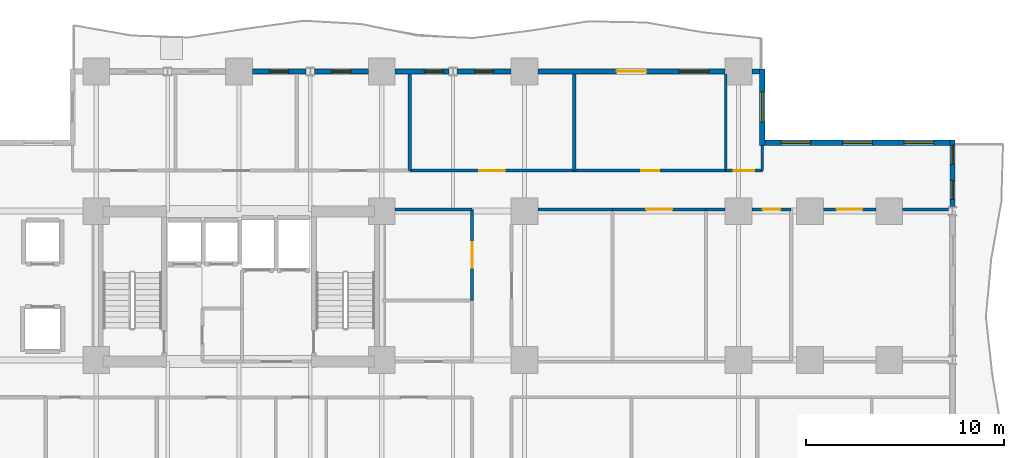
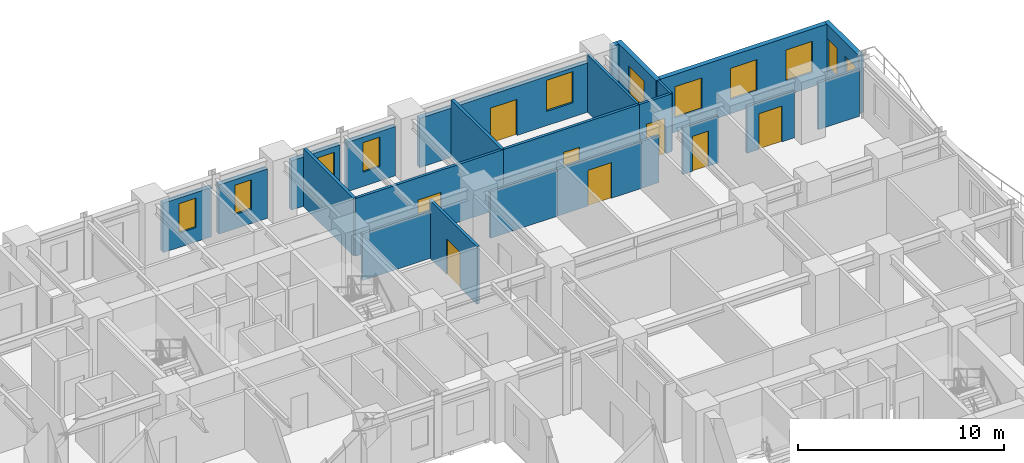
# One storey, part 7 of 11: 24 walls, 11 windows, 8 doors, 19 openings.
"""IFC4 building model written with IfcOpenShell, lengths in metres."""

import ifcopenshell
import ifcopenshell.guid

model = None  # the IFC model being written
_history = None  # IfcOwnerHistory: only IFC2X3 demands one
_inside = {}  # id of a spatial element -> (the spatial element, [elements in it])
_under = {}  # id of a project, library or spatial element -> (it, [spatial elements below it])
_declared = {}  # id of a project -> (the project, [libraries it declares])
_typed = {}  # id of a type object -> (the type object, [elements of that type])
_made_of = {}  # id of a material, layer set ... -> (it, [elements and type objects made of it])


def new_model(schema):
    """Start an empty IFC model of exactly this schema.

    Asked for "IFC4X3", IfcOpenShell would pick the latest addendum, in which some entities
    have other attributes; the version numbers below select the first issue.
    IFC2X3 requires an IfcOwnerHistory on every rooted entity: one is made here for all.
    """
    global model, _history
    if schema == "IFC4X3":
        model = ifcopenshell.file(schema_version=(4, 3, 0, 0))
    else:
        model = ifcopenshell.file(schema=schema)
    _inside.clear()
    _under.clear()
    _declared.clear()
    _typed.clear()
    _made_of.clear()
    _history = None
    if model.schema == "IFC2X3":
        org = make("IfcOrganization", Name="unknown")
        user = make(
            "IfcPersonAndOrganization",
            ThePerson=make("IfcPerson", FamilyName="unknown"),
            TheOrganization=org,
        )
        app = make(
            "IfcApplication",
            ApplicationDeveloper=org,
            Version="unknown",
            ApplicationFullName="unknown",
            ApplicationIdentifier="unknown",
        )
        _history = make(
            "IfcOwnerHistory",
            OwningUser=user,
            OwningApplication=app,
            ChangeAction="ADDED",
            CreationDate=0,
        )
    return model


def make(cls, **values):
    """One entity of the class cls with the attributes given. An attribute that is None is left unset."""
    return model.create_entity(
        cls, **{name: value for name, value in values.items() if value is not None}
    )


def rooted(cls, **values):
    """An entity with a GlobalId (a new one), such as an element, a storey or a relation."""
    return make(cls, GlobalId=ifcopenshell.guid.new(), OwnerHistory=_history, **values)


def si_unit(unit_type, name, prefix=None):
    """IfcSIUnit, for example si_unit("LENGTHUNIT", "METRE", prefix="MILLI")."""
    return make("IfcSIUnit", UnitType=unit_type, Prefix=prefix, Name=name)


def assignment(units):
    """IfcUnitAssignment: the units of a project."""
    return None if units is None else make("IfcUnitAssignment", Units=units)


def point(xyz):
    """IfcCartesianPoint."""
    return None if xyz is None else make("IfcCartesianPoint", Coordinates=xyz)


def direction(xyz):
    """IfcDirection."""
    return None if xyz is None else make("IfcDirection", DirectionRatios=xyz)


def frame(location, z_axis=None, x_axis=None):
    """IfcAxis2Placement3D, a coordinate frame: its origin and axes. An axis left out is left unset."""
    return make(
        "IfcAxis2Placement3D",
        Location=point(location),
        Axis=direction(z_axis),
        RefDirection=direction(x_axis),
    )


def frame_2d(location, x_axis=None):
    """IfcAxis2Placement2D, a coordinate frame in the plane: its origin and x axis."""
    return make(
        "IfcAxis2Placement2D", Location=point(location), RefDirection=direction(x_axis)
    )


def origin():
    """The frame at (0, 0, 0) with its axes left unset."""
    return frame((0.0, 0.0, 0.0))


def place(relative_to, where):
    """IfcLocalPlacement: puts the frame where relative to a parent placement (None: the world)."""
    return make(
        "IfcLocalPlacement", PlacementRelTo=relative_to, RelativePlacement=where
    )


def context(
    kind, dimensions, precision=None, world=None, true_north=None, identifier=None
):
    """IfcGeometricRepresentationContext, for example the 3D "Model" context."""
    return make(
        "IfcGeometricRepresentationContext",
        ContextIdentifier=identifier,
        ContextType=kind,
        CoordinateSpaceDimension=dimensions,
        Precision=precision,
        WorldCoordinateSystem=world,
        TrueNorth=true_north,
    )


def subcontext(parent, identifier, kind, view, scale=None):
    """IfcGeometricRepresentationSubContext, for example "Body" below "Model"."""
    return make(
        "IfcGeometricRepresentationSubContext",
        ContextIdentifier=identifier,
        ContextType=kind,
        ParentContext=parent,
        TargetScale=scale,
        TargetView=view,
    )


def project(units=None, contexts=None):
    """IfcProject with its units and contexts."""
    return rooted(
        "IfcProject",
        Name="project",
        RepresentationContexts=contexts,
        UnitsInContext=assignment(units),
    )


def spatial(cls, under=None, at=None, **own):
    """A site, building, storey or space (cls), placed at a placement, below another one or the project."""
    s = rooted(cls, ObjectPlacement=at, **own)
    if under is not None:
        _under.setdefault(under.id(), (under, []))[1].append(s)
    return s


def profile(cls, at=None, kind="AREA", **sizes):
    """A parametric profile (cls). Its sizes go by their IFC names, for example OverallWidth=200.0."""
    return make(cls, ProfileType=kind, Position=at, **sizes)


def rectangle(**sizes):
    """IfcRectangleProfileDef."""
    return profile("IfcRectangleProfileDef", **sizes)


def extrude(swept, where, along, depth):
    """IfcExtrudedAreaSolid: the profile swept, set in the frame where, extruded along a direction by depth."""
    return make(
        "IfcExtrudedAreaSolid",
        SweptArea=swept,
        Position=where,
        ExtrudedDirection=direction(along),
        Depth=depth,
    )


def shape(context_of_items, identifier, shape_type, items):
    """IfcShapeRepresentation: the items that make up one representation, for example the "Body"."""
    return make(
        "IfcShapeRepresentation",
        ContextOfItems=context_of_items,
        RepresentationIdentifier=identifier,
        RepresentationType=shape_type,
        Items=items,
    )


def material(Name=None, Category=None):
    """IfcMaterial."""
    return make("IfcMaterial", Name=Name, Category=Category)


def layer(
    of_material, thickness, ventilated=None, Name=None, Category=None, Priority=None
):
    """IfcMaterialLayer: one layer of a wall or slab, of a material (None: an air gap)."""
    return make(
        "IfcMaterialLayer",
        Material=of_material,
        LayerThickness=thickness,
        IsVentilated=ventilated,
        Name=Name,
        Category=Category,
        Priority=Priority,
    )


def layer_set(layers, Name=None):
    """IfcMaterialLayerSet."""
    return make("IfcMaterialLayerSet", MaterialLayers=layers, LayerSetName=Name)


def made_of(thing, what):
    """Note that an element or type object is made of a material, layer set ...; save() writes the relation."""
    if what is not None:
        _made_of.setdefault(what.id(), (what, []))[1].append(thing)
    return thing


def type_object(cls, material=None, **own):
    """A type object (cls), such as IfcWallType, which elements share."""
    return made_of(rooted(cls, **own), material)


def element(
    cls,
    number,
    at=None,
    inside=None,
    cuts=None,
    type_object=None,
    material=None,
    context=None,
    identifier="Body",
    shape_type=None,
    held_by="IfcProductDefinitionShape",
    body=None,
    shapes=None,
    **own,
):
    """One element of the class cls, such as IfcWall. Its Tag is "e" and its number.

    at: its placement. inside: the storey or other place that contains it. cuts: it is an
    opening in that element (IfcRelVoidsElement). A single representation is given by context,
    identifier, shape_type and body (its items); several are given by shapes. held_by: the class
    of the entity that holds the representations. save() writes the other relations.
    """
    e = rooted(cls, Tag="e%d" % number, ObjectPlacement=at, **own)
    if body is not None:
        shapes = [shape(context, identifier, shape_type, body)]
    if shapes is not None:
        e.Representation = make(held_by, Representations=shapes)
    if inside is not None:
        _inside.setdefault(inside.id(), (inside, []))[1].append(e)
    if cuts is not None:
        rooted(
            "IfcRelVoidsElement", RelatingBuildingElement=cuts, RelatedOpeningElement=e
        )
    if type_object is not None:
        _typed.setdefault(type_object.id(), (type_object, []))[1].append(e)
    return made_of(e, material)


def fill(opening, filler):
    """IfcRelFillsElement: the door or window that sits in an opening."""
    return rooted(
        "IfcRelFillsElement",
        RelatingOpeningElement=opening,
        RelatedBuildingElement=filler,
    )


def aggregate(whole, parts):
    """IfcRelAggregates: a whole, such as a stair, and the parts it consists of."""
    return rooted("IfcRelAggregates", RelatingObject=whole, RelatedObjects=parts)


def save(model, path):
    """Write the relations noted so far, then the file.

    IfcRelAggregates (storeys below a building ...), IfcRelContainedInSpatialStructure (elements
    in a storey), IfcRelDefinesByType, IfcRelAssociatesMaterial and IfcRelDeclares: one each for
    every whole, place, type object, material and project.
    """
    for whole, parts in _under.values():
        aggregate(whole, parts)
    for where, things in _inside.values():
        rooted(
            "IfcRelContainedInSpatialStructure",
            RelatedElements=things,
            RelatingStructure=where,
        )
    for kind, things in _typed.values():
        rooted("IfcRelDefinesByType", RelatedObjects=things, RelatingType=kind)
    for what, things in _made_of.values():
        rooted("IfcRelAssociatesMaterial", RelatedObjects=things, RelatingMaterial=what)
    for by, libraries in _declared.values():
        rooted("IfcRelDeclares", RelatingContext=by, RelatedDefinitions=libraries)
    model.write(path)


model = new_model("IFC4")

# Units and contexts
model_context = context("Model", 3, precision=1e-05, world=origin(), true_north=direction((0.0, 1.0)))
body_context = subcontext(model_context, "Body", "Model", "MODEL_VIEW")
ifc_project = project(units=[si_unit("LENGTHUNIT", "METRE"), si_unit("AREAUNIT", "SQUARE_METRE"), si_unit("VOLUMEUNIT", "CUBIC_METRE"), si_unit("PLANEANGLEUNIT", "RADIAN"), si_unit("MASSUNIT", "GRAM", prefix="KILO")], contexts=[model_context])

# Site, building, storey
site_placement = place(None, origin())
site = spatial("IfcSite", under=ifc_project, at=site_placement, CompositionType="ELEMENT")
building_placement = place(site_placement, origin())
building = spatial("IfcBuilding", under=site, at=building_placement, Name="Kaliganga Portal Commons", CompositionType="ELEMENT")
storey_placement = place(building_placement, frame((0.0, 0.0, 66.0)))
storey = spatial("IfcBuildingStorey", under=building, at=storey_placement, Name="L16", CompositionType="ELEMENT", Elevation=66.0)

# Wall, openings, windows
ifc_material_1 = material(Name="Insulated Aluminium-Clad Spandrel Assembly", Category="aluminium")
ifc_layer_1 = layer(ifc_material_1, 0.260009765625)
ifc_layer_set_1 = layer_set([ifc_layer_1], Name="Insulated Aluminium-Clad Spandrel Assembly")
wall_type_1 = type_object("IfcWallType", Name="WL-EXT-SPAND-260", PredefinedType="STANDARD", material=ifc_layer_set_1)
wall_1_placement = place(storey_placement, frame((57.60009765625, 39.72998046875, 0.0), z_axis=(0.0, 0.0, 1.0), x_axis=(0.0, -1.0, 0.0)))
wall_1 = element("IfcWall", 1, at=wall_1_placement, inside=storey, type_object=wall_type_1, Name="Exterior Envelope Wall L16 P1-E03-S6", PredefinedType="STANDARD", context=body_context, shape_type="SweptSolid", body=[
    extrude(rectangle(XDim=3.35595703125, YDim=0.260009765625, at=frame_2d((1.677978515625, 0.0))), origin(), (0.0, 0.0, 1.0), 3.429931640625),
])
opening_1_placement = place(wall_1_placement, frame((2.035400390625, 0.0, 0.85009765625)))
opening_1 = element("IfcOpeningElement", 2, at=opening_1_placement, cuts=wall_1, Name="Opening W-04", PredefinedType="OPENING", context=body_context, shape_type="SweptSolid", body=[
    extrude(rectangle(XDim=0.949951171875, YDim=1.75, at=frame_2d((0.47509765625, 0.875))), frame((0.0, 0.14013671875, 0.0), z_axis=(0.0, -1.0, 0.0), x_axis=(1.0, 0.0, 0.0)), (0.0, 0.0, 1.0), 0.280029296875),
])
opening_2_placement = place(wall_1_placement, frame((0.26318359375, 0.0, 0.85009765625)))
opening_2 = element("IfcOpeningElement", 3, at=opening_2_placement, cuts=wall_1, Name="Opening W-04", PredefinedType="OPENING", context=body_context, shape_type="SweptSolid", body=[
    extrude(rectangle(XDim=0.949951171875, YDim=1.75, at=frame_2d((0.47509765625, 0.875))), frame((0.0, 0.14013671875, 0.0), z_axis=(0.0, -1.0, 0.0), x_axis=(1.0, 0.0, 0.0)), (0.0, 0.0, 1.0), 0.280029296875),
])
ifc_material_2 = material(Name="Thermally Broken Aluminium and Low-E Double Glazing", Category="aluminium")
window_type_1 = type_object("IfcWindowType", Name="WIN-NARROW-950", PartitioningType="SINGLE_PANEL", PredefinedType="WINDOW", material=ifc_material_2)
window_1_placement = place(opening_1_placement, origin())
window_1 = element("IfcWindow", 4, at=window_1_placement, inside=storey, type_object=window_type_1, Name="Facade Window L16-P1E03S6-N2", OverallHeight=1.75, OverallWidth=0.949951171875, PartitioningType="SINGLE_PANEL", PredefinedType="WINDOW", context=body_context, shape_type="SweptSolid", body=[
    extrude(rectangle(XDim=0.949951171875, YDim=1.75, at=frame_2d((0.47509765625, 0.875))), frame((0.0, 0.030029296875, 0.0), z_axis=(0.0, -1.0, 0.0), x_axis=(1.0, 0.0, 0.0)), (0.0, 0.0, 1.0), 0.06005859375),
])
fill(opening_1, window_1)
window_2_placement = place(opening_2_placement, origin())
window_2 = element("IfcWindow", 5, at=window_2_placement, inside=storey, type_object=window_type_1, Name="Facade Window L16-P1E03S6-N9", OverallHeight=1.75, OverallWidth=0.949951171875, PartitioningType="SINGLE_PANEL", PredefinedType="WINDOW", context=body_context, shape_type="SweptSolid", body=[
    extrude(rectangle(XDim=0.949951171875, YDim=1.75, at=frame_2d((0.47509765625, 0.875))), frame((0.0, 0.030029296875, 0.0), z_axis=(0.0, -1.0, 0.0), x_axis=(1.0, 0.0, 0.0)), (0.0, 0.0, 1.0), 0.06005859375),
])
fill(opening_2, window_2)

wall_2_placement = place(storey_placement, frame((48.135009765625, 39.60009765625, 0.0), z_axis=(0.0, 0.0, 1.0), x_axis=(1.0, 0.0, 0.0)))
wall_2 = element("IfcWall", 6, at=wall_2_placement, inside=storey, type_object=wall_type_1, Name="Exterior Envelope Wall L16 P1-E04-S1", PredefinedType="STANDARD", context=body_context, shape_type="SweptSolid", body=[
    extrude(rectangle(XDim=9.330078125, YDim=0.260009765625, at=frame_2d((4.6650390625, 0.0))), origin(), (0.0, 0.0, 1.0), 3.429931640625),
])
opening_3_placement = place(wall_2_placement, frame((0.804931640625, 0.0, 0.85009765625)))
opening_3 = element("IfcOpeningElement", 7, at=opening_3_placement, cuts=wall_2, Name="Opening W-02", PredefinedType="OPENING", context=body_context, shape_type="SweptSolid", body=[
    extrude(rectangle(XDim=1.5, YDim=1.85009765625, at=frame_2d((0.75, 0.925048828125))), frame((0.0, 0.14013671875, 0.0), z_axis=(0.0, -1.0, 0.0), x_axis=(1.0, 0.0, 0.0)), (0.0, 0.0, 1.0), 0.280029296875),
])
opening_4_placement = place(wall_2_placement, frame((3.9150390625, 0.0, 0.85009765625)))
opening_4 = element("IfcOpeningElement", 8, at=opening_4_placement, cuts=wall_2, Name="Opening W-02", PredefinedType="OPENING", context=body_context, shape_type="SweptSolid", body=[
    extrude(rectangle(XDim=1.5, YDim=1.85009765625, at=frame_2d((0.75, 0.925048828125))), frame((0.0, 0.14013671875, 0.0), z_axis=(0.0, -1.0, 0.0), x_axis=(1.0, 0.0, 0.0)), (0.0, 0.0, 1.0), 0.280029296875),
])
opening_5_placement = place(wall_2_placement, frame((7.02490234375, 0.0, 0.85009765625)))
opening_5 = element("IfcOpeningElement", 9, at=opening_5_placement, cuts=wall_2, Name="Opening W-02", PredefinedType="OPENING", context=body_context, shape_type="SweptSolid", body=[
    extrude(rectangle(XDim=1.5, YDim=1.85009765625, at=frame_2d((0.75, 0.925048828125))), frame((0.0, 0.14013671875, 0.0), z_axis=(0.0, -1.0, 0.0), x_axis=(1.0, 0.0, 0.0)), (0.0, 0.0, 1.0), 0.280029296875),
])
window_type_2 = type_object("IfcWindowType", Name="WIN-STD-1500", PartitioningType="DOUBLE_PANEL_VERTICAL", PredefinedType="WINDOW", material=ifc_material_2)
window_3_placement = place(opening_3_placement, origin())
window_3 = element("IfcWindow", 10, at=window_3_placement, inside=storey, type_object=window_type_2, Name="Facade Window L16-P1E04S1-00", OverallHeight=1.85009765625, OverallWidth=1.5, PartitioningType="SINGLE_PANEL", PredefinedType="WINDOW", context=body_context, shape_type="SweptSolid", body=[
    extrude(rectangle(XDim=1.5, YDim=1.85009765625, at=frame_2d((0.75, 0.925048828125))), frame((0.0, 0.030029296875, 0.0), z_axis=(0.0, -1.0, 0.0), x_axis=(1.0, 0.0, 0.0)), (0.0, 0.0, 1.0), 0.06005859375),
])
fill(opening_3, window_3)
window_4_placement = place(opening_4_placement, origin())
window_4 = element("IfcWindow", 11, at=window_4_placement, inside=storey, type_object=window_type_2, Name="Facade Window L16-P1E04S1-01", OverallHeight=1.85009765625, OverallWidth=1.5, PartitioningType="SINGLE_PANEL", PredefinedType="WINDOW", context=body_context, shape_type="SweptSolid", body=[
    extrude(rectangle(XDim=1.5, YDim=1.85009765625, at=frame_2d((0.75, 0.925048828125))), frame((0.0, 0.030029296875, 0.0), z_axis=(0.0, -1.0, 0.0), x_axis=(1.0, 0.0, 0.0)), (0.0, 0.0, 1.0), 0.06005859375),
])
fill(opening_4, window_4)
window_5_placement = place(opening_5_placement, origin())
window_5 = element("IfcWindow", 12, at=window_5_placement, inside=storey, type_object=window_type_2, Name="Facade Window L16-P1E04S1-02", OverallHeight=1.85009765625, OverallWidth=1.5, PartitioningType="SINGLE_PANEL", PredefinedType="WINDOW", context=body_context, shape_type="SweptSolid", body=[
    extrude(rectangle(XDim=1.5, YDim=1.85009765625, at=frame_2d((0.75, 0.925048828125))), frame((0.0, 0.030029296875, 0.0), z_axis=(0.0, -1.0, 0.0), x_axis=(1.0, 0.0, 0.0)), (0.0, 0.0, 1.0), 0.06005859375),
])
fill(opening_5, window_5)

# Wall, opening, window
wall_3_placement = place(storey_placement, frame((48.0, 43.330078125, 0.0), z_axis=(0.0, 0.0, 1.0), x_axis=(0.0, -1.0, 0.0)))
wall_3 = element("IfcWall", 13, at=wall_3_placement, inside=storey, type_object=wall_type_1, Name="Exterior Envelope Wall L16 P1-E05-S1", PredefinedType="STANDARD", context=body_context, shape_type="SweptSolid", body=[
    extrude(rectangle(XDim=3.860107421875, YDim=0.260009765625, at=frame_2d((1.93017578125, 0.0))), origin(), (0.0, 0.0, 1.0), 3.429931640625),
])
opening_6_placement = place(wall_3_placement, frame((1.179931640625, 0.0, 0.85009765625)))
opening_6 = element("IfcOpeningElement", 14, at=opening_6_placement, cuts=wall_3, Name="Opening W-02", PredefinedType="OPENING", context=body_context, shape_type="SweptSolid", body=[
    extrude(rectangle(XDim=1.5, YDim=1.85009765625, at=frame_2d((0.75, 0.925048828125))), frame((0.0, 0.14013671875, 0.0), z_axis=(0.0, -1.0, 0.0), x_axis=(1.0, 0.0, 0.0)), (0.0, 0.0, 1.0), 0.280029296875),
])
window_6_placement = place(opening_6_placement, origin())
window_6 = element("IfcWindow", 15, at=window_6_placement, inside=storey, type_object=window_type_2, Name="Facade Window L16-P1E05S1-00", OverallHeight=1.85009765625, OverallWidth=1.5, PartitioningType="SINGLE_PANEL", PredefinedType="WINDOW", context=body_context, shape_type="SweptSolid", body=[
    extrude(rectangle(XDim=1.5, YDim=1.85009765625, at=frame_2d((0.75, 0.925048828125))), frame((0.0, 0.030029296875, 0.0), z_axis=(0.0, -1.0, 0.0), x_axis=(1.0, 0.0, 0.0)), (0.0, 0.0, 1.0), 0.06005859375),
])
fill(opening_6, window_6)

# Wall
wall_4_placement = place(storey_placement, frame((47.47607421875, 43.199951171875, 0.0), z_axis=(0.0, 0.0, 1.0), x_axis=(1.0, 0.0, 0.0)))
element("IfcWall", 16, at=wall_4_placement, inside=storey, type_object=wall_type_1, Name="Exterior Envelope Wall L16 P1-E06-S1", PredefinedType="STANDARD", context=body_context, shape_type="SweptSolid", body=[
    extrude(rectangle(XDim=0.388916015625, YDim=0.260009765625, at=frame_2d((0.1943359375, 0.0))), origin(), (0.0, 0.0, 1.0), 3.429931640625),
])

# Wall, openings, door, window
wall_5_placement = place(storey_placement, frame((36.676025390625, 43.199951171875, 0.0), z_axis=(0.0, 0.0, 1.0), x_axis=(1.0, 0.0, 0.0)))
wall_5 = element("IfcWall", 17, at=wall_5_placement, inside=storey, type_object=wall_type_1, Name="Exterior Envelope Wall L16 P1-E06-S2", PredefinedType="STANDARD", context=body_context, shape_type="SweptSolid", body=[
    extrude(rectangle(XDim=9.447998046875, YDim=0.260009765625, at=frame_2d((4.72412109375, 0.0))), origin(), (0.0, 0.0, 1.0), 2.929931640625),
])
opening_7_placement = place(wall_5_placement, frame((3.97412109375, 0.0, 0.0)))
opening_7 = element("IfcOpeningElement", 18, at=opening_7_placement, cuts=wall_5, Name="Opening BD-01", PredefinedType="OPENING", context=body_context, shape_type="SweptSolid", body=[
    extrude(rectangle(XDim=1.5, YDim=2.14990234375, at=frame_2d((0.75, 1.074951171875))), frame((0.0, 0.14013671875, 0.0), z_axis=(0.0, -1.0, 0.0), x_axis=(1.0, 0.0, 0.0)), (0.0, 0.0, 1.0), 0.280029296875),
])
opening_8_placement = place(wall_5_placement, frame((7.123291015625, 0.0, 0.85009765625)))
opening_8 = element("IfcOpeningElement", 19, at=opening_8_placement, cuts=wall_5, Name="Opening W-02", PredefinedType="OPENING", context=body_context, shape_type="SweptSolid", body=[
    extrude(rectangle(XDim=1.5, YDim=1.85009765625, at=frame_2d((0.75, 0.925048828125))), frame((0.0, 0.14013671875, 0.0), z_axis=(0.0, -1.0, 0.0), x_axis=(1.0, 0.0, 0.0)), (0.0, 0.0, 1.0), 0.280029296875),
])
ifc_material_3 = material(Name="Anodized Aluminium and Laminated Safety Glass", Category="aluminium")
door_type_1 = type_object("IfcDoorType", Name="DR-BALC-1500", OperationType="SLIDING_TO_LEFT", PredefinedType="DOOR", material=ifc_material_3)
door_1_placement = place(opening_7_placement, origin())
door_1 = element("IfcDoor", 20, at=door_1_placement, inside=storey, type_object=door_type_1, Name="Balcony Sliding Door L16 balc_north", OperationType="SLIDING_TO_LEFT", OverallHeight=2.14990234375, OverallWidth=1.5, PredefinedType="DOOR", context=body_context, shape_type="SweptSolid", body=[
    extrude(rectangle(XDim=1.5, YDim=2.14990234375, at=frame_2d((0.75, 1.074951171875))), frame((0.0, 0.02490234375, 0.0), z_axis=(0.0, -1.0, 0.0), x_axis=(1.0, 0.0, 0.0)), (0.0, 0.0, 1.0), 0.050048828125),
])
fill(opening_7, door_1)
window_7_placement = place(opening_8_placement, origin())
window_7 = element("IfcWindow", 21, at=window_7_placement, inside=storey, type_object=window_type_2, Name="Facade Window L16-P1E06S2-02", OverallHeight=1.85009765625, OverallWidth=1.5, PartitioningType="SINGLE_PANEL", PredefinedType="WINDOW", context=body_context, shape_type="SweptSolid", body=[
    extrude(rectangle(XDim=1.5, YDim=1.85009765625, at=frame_2d((0.75, 0.925048828125))), frame((0.0, 0.030029296875, 0.0), z_axis=(0.0, -1.0, 0.0), x_axis=(1.0, 0.0, 0.0)), (0.0, 0.0, 1.0), 0.06005859375),
])
fill(opening_8, window_7)

# Wall, opening, window
wall_6_placement = place(storey_placement, frame((32.60888671875, 43.199951171875, 0.0), z_axis=(0.0, 0.0, 1.0), x_axis=(1.0, 0.0, 0.0)))
wall_6 = element("IfcWall", 22, at=wall_6_placement, inside=storey, type_object=wall_type_1, Name="Exterior Envelope Wall L16 P1-E06-S3", PredefinedType="STANDARD", context=body_context, shape_type="SweptSolid", body=[
    extrude(rectangle(XDim=2.715087890625, YDim=0.260009765625, at=frame_2d((1.357421875, 0.0))), origin(), (0.0, 0.0, 1.0), 2.929931640625),
])
opening_9_placement = place(wall_6_placement, frame((0.882568359375, 0.0, 0.85009765625)))
opening_9 = element("IfcOpeningElement", 23, at=opening_9_placement, cuts=wall_6, Name="Opening W-04", PredefinedType="OPENING", context=body_context, shape_type="SweptSolid", body=[
    extrude(rectangle(XDim=0.949951171875, YDim=1.75, at=frame_2d((0.47509765625, 0.875))), frame((0.0, 0.14013671875, 0.0), z_axis=(0.0, -1.0, 0.0), x_axis=(1.0, 0.0, 0.0)), (0.0, 0.0, 1.0), 0.280029296875),
])
window_8_placement = place(opening_9_placement, origin())
window_8 = element("IfcWindow", 24, at=window_8_placement, inside=storey, type_object=window_type_1, Name="Facade Window L16-P1E06S3-00", OverallHeight=1.75, OverallWidth=0.949951171875, PartitioningType="SINGLE_PANEL", PredefinedType="WINDOW", context=body_context, shape_type="SweptSolid", body=[
    extrude(rectangle(XDim=0.949951171875, YDim=1.75, at=frame_2d((0.47509765625, 0.875))), frame((0.0, 0.030029296875, 0.0), z_axis=(0.0, -1.0, 0.0), x_axis=(1.0, 0.0, 0.0)), (0.0, 0.0, 1.0), 0.06005859375),
])
fill(opening_9, window_8)

wall_7_placement = place(storey_placement, frame((29.47607421875, 43.199951171875, 0.0), z_axis=(0.0, 0.0, 1.0), x_axis=(1.0, 0.0, 0.0)))
wall_7 = element("IfcWall", 25, at=wall_7_placement, inside=storey, type_object=wall_type_1, Name="Exterior Envelope Wall L16 P1-E06-S4", PredefinedType="STANDARD", context=body_context, shape_type="SweptSolid", body=[
    extrude(rectangle(XDim=2.71484375, YDim=0.260009765625, at=frame_2d((1.357421875, 0.0))), origin(), (0.0, 0.0, 1.0), 2.929931640625),
])
opening_10_placement = place(wall_7_placement, frame((1.479736328125, 0.0, 0.85009765625)))
opening_10 = element("IfcOpeningElement", 26, at=opening_10_placement, cuts=wall_7, Name="Opening W-04", PredefinedType="OPENING", context=body_context, shape_type="SweptSolid", body=[
    extrude(rectangle(XDim=0.949951171875, YDim=1.75, at=frame_2d((0.47509765625, 0.875))), frame((0.0, 0.14013671875, 0.0), z_axis=(0.0, -1.0, 0.0), x_axis=(1.0, 0.0, 0.0)), (0.0, 0.0, 1.0), 0.280029296875),
])
window_9_placement = place(opening_10_placement, origin())
window_9 = element("IfcWindow", 27, at=window_9_placement, inside=storey, type_object=window_type_1, Name="Facade Window L16-P1E06S4-N4", OverallHeight=1.75, OverallWidth=0.949951171875, PartitioningType="SINGLE_PANEL", PredefinedType="WINDOW", context=body_context, shape_type="SweptSolid", body=[
    extrude(rectangle(XDim=0.949951171875, YDim=1.75, at=frame_2d((0.47509765625, 0.875))), frame((0.0, 0.030029296875, 0.0), z_axis=(0.0, -1.0, 0.0), x_axis=(1.0, 0.0, 0.0)), (0.0, 0.0, 1.0), 0.06005859375),
])
fill(opening_10, window_9)

wall_8_placement = place(storey_placement, frame((25.408935546875, 43.199951171875, 0.0), z_axis=(0.0, 0.0, 1.0), x_axis=(1.0, 0.0, 0.0)))
wall_8 = element("IfcWall", 28, at=wall_8_placement, inside=storey, type_object=wall_type_1, Name="Exterior Envelope Wall L16 P1-E06-S5", PredefinedType="STANDARD", context=body_context, shape_type="SweptSolid", body=[
    extrude(rectangle(XDim=2.715087890625, YDim=0.260009765625, at=frame_2d((1.357421875, 0.0))), origin(), (0.0, 0.0, 1.0), 2.929931640625),
])
opening_11_placement = place(wall_8_placement, frame((0.882568359375, 0.0, 0.85009765625)))
opening_11 = element("IfcOpeningElement", 29, at=opening_11_placement, cuts=wall_8, Name="Opening W-04", PredefinedType="OPENING", context=body_context, shape_type="SweptSolid", body=[
    extrude(rectangle(XDim=0.949951171875, YDim=1.75, at=frame_2d((0.47509765625, 0.875))), frame((0.0, 0.14013671875, 0.0), z_axis=(0.0, -1.0, 0.0), x_axis=(1.0, 0.0, 0.0)), (0.0, 0.0, 1.0), 0.280029296875),
])
window_10_placement = place(opening_11_placement, origin())
window_10 = element("IfcWindow", 30, at=window_10_placement, inside=storey, type_object=window_type_1, Name="Facade Window L16-P1E06S5-00", OverallHeight=1.75, OverallWidth=0.949951171875, PartitioningType="SINGLE_PANEL", PredefinedType="WINDOW", context=body_context, shape_type="SweptSolid", body=[
    extrude(rectangle(XDim=0.949951171875, YDim=1.75, at=frame_2d((0.47509765625, 0.875))), frame((0.0, 0.030029296875, 0.0), z_axis=(0.0, -1.0, 0.0), x_axis=(1.0, 0.0, 0.0)), (0.0, 0.0, 1.0), 0.06005859375),
])
fill(opening_11, window_10)

wall_9_placement = place(storey_placement, frame((22.27587890625, 43.199951171875, 0.0), z_axis=(0.0, 0.0, 1.0), x_axis=(1.0, 0.0, 0.0)))
wall_9 = element("IfcWall", 31, at=wall_9_placement, inside=storey, type_object=wall_type_1, Name="Exterior Envelope Wall L16 P1-E06-S6", PredefinedType="STANDARD", context=body_context, shape_type="SweptSolid", body=[
    extrude(rectangle(XDim=2.715087890625, YDim=0.260009765625, at=frame_2d((1.357421875, 0.0))), origin(), (0.0, 0.0, 1.0), 2.929931640625),
])
opening_12_placement = place(wall_9_placement, frame((0.882568359375, 0.0, 0.85009765625)))
opening_12 = element("IfcOpeningElement", 32, at=opening_12_placement, cuts=wall_9, Name="Opening W-04", PredefinedType="OPENING", context=body_context, shape_type="SweptSolid", body=[
    extrude(rectangle(XDim=0.949951171875, YDim=1.75, at=frame_2d((0.47509765625, 0.875))), frame((0.0, 0.14013671875, 0.0), z_axis=(0.0, -1.0, 0.0), x_axis=(1.0, 0.0, 0.0)), (0.0, 0.0, 1.0), 0.280029296875),
])
window_11_placement = place(opening_12_placement, origin())
window_11 = element("IfcWindow", 33, at=window_11_placement, inside=storey, type_object=window_type_1, Name="Facade Window L16-P1E06S6-00", OverallHeight=1.75, OverallWidth=0.949951171875, PartitioningType="SINGLE_PANEL", PredefinedType="WINDOW", context=body_context, shape_type="SweptSolid", body=[
    extrude(rectangle(XDim=0.949951171875, YDim=1.75, at=frame_2d((0.47509765625, 0.875))), frame((0.0, 0.030029296875, 0.0), z_axis=(0.0, -1.0, 0.0), x_axis=(1.0, 0.0, 0.0)), (0.0, 0.0, 1.0), 0.06005859375),
])
fill(opening_12, window_11)

# Wall, opening, door
ifc_material_4 = material(Name="Fire-Rated Gypsum Board on Steel Stud", Category="steel")
ifc_layer_2 = layer(ifc_material_4, 0.14990234375)
ifc_layer_set_2 = layer_set([ifc_layer_2], Name="Fire-Rated Gypsum Board on Steel Stud")
wall_type_2 = type_object("IfcWallType", Name="WL-PART-CORR-150", PredefinedType="PARTITIONING", material=ifc_layer_set_2)
wall_10_placement = place(storey_placement, frame((30.219970703125, 38.199951171875, 0.0), z_axis=(0.0, 0.0, 1.0), x_axis=(1.0, 0.0, 0.0)))
wall_10 = element("IfcWall", 34, at=wall_10_placement, inside=storey, type_object=wall_type_2, Name="Interior Partition L16-006", PredefinedType="PARTITIONING", context=body_context, shape_type="SweptSolid", body=[
    extrude(rectangle(XDim=8.300048828125, YDim=0.14990234375, at=frame_2d((4.14990234375, 0.0))), origin(), (0.0, 0.0, 1.0), 3.429931640625),
])
opening_13_placement = place(wall_10_placement, frame((3.5, 0.0, 0.0)))
opening_13 = element("IfcOpeningElement", 35, at=opening_13_placement, cuts=wall_10, Name="Opening RD-03", PredefinedType="OPENING", context=body_context, shape_type="SweptSolid", body=[
    extrude(rectangle(XDim=1.300048828125, YDim=2.1201171875, at=frame_2d((0.64990234375, 1.06005859375))), frame((0.0, 0.0849609375, 0.0), z_axis=(0.0, -1.0, 0.0), x_axis=(1.0, 0.0, 0.0)), (0.0, 0.0, 1.0), 0.169921875),
])
ifc_material_5 = material(Name="Glazed Timber Seminar Vision Door", Category="wood")
door_type_2 = type_object("IfcDoorType", Name="DR-STUDY-1300", OperationType="DOUBLE_DOOR_SINGLE_SWING", PredefinedType="DOOR", material=ifc_material_5)
door_2_placement = place(opening_13_placement, origin())
door_2 = element("IfcDoor", 36, at=door_2_placement, inside=storey, type_object=door_type_2, Name="Interior Door L16-AN04", OperationType="DOUBLE_DOOR_SINGLE_SWING", OverallHeight=2.1201171875, OverallWidth=1.300048828125, PredefinedType="DOOR", context=body_context, shape_type="SweptSolid", body=[
    extrude(rectangle(XDim=1.300048828125, YDim=2.1201171875, at=frame_2d((0.64990234375, 1.06005859375))), frame((0.0, 0.02490234375, 0.0), z_axis=(0.0, -1.0, 0.0), x_axis=(1.0, 0.0, 0.0)), (0.0, 0.0, 1.0), 0.050048828125),
])
fill(opening_13, door_2)

wall_11_placement = place(storey_placement, frame((51.074951171875, 36.239990234375, 0.0), z_axis=(0.0, 0.0, 1.0), x_axis=(1.0, 0.0, 0.0)))
wall_11 = element("IfcWall", 37, at=wall_11_placement, inside=storey, type_object=wall_type_2, Name="Interior Partition L16-008", PredefinedType="PARTITIONING", context=body_context, shape_type="SweptSolid", body=[
    extrude(rectangle(XDim=2.650146484375, YDim=0.14990234375, at=frame_2d((1.3251953125, 0.0))), origin(), (0.0, 0.0, 1.0), 2.780029296875),
])
opening_14_placement = place(wall_11_placement, frame((0.675048828125, 0.0, 0.0)))
opening_14 = element("IfcOpeningElement", 38, at=opening_14_placement, cuts=wall_11, Name="Opening RD-03", PredefinedType="OPENING", context=body_context, shape_type="SweptSolid", body=[
    extrude(rectangle(XDim=1.300048828125, YDim=2.1201171875, at=frame_2d((0.64990234375, 1.06005859375))), frame((0.0, 0.0849609375, 0.0), z_axis=(0.0, -1.0, 0.0), x_axis=(1.0, 0.0, 0.0)), (0.0, 0.0, 1.0), 0.169921875),
])
door_3_placement = place(opening_14_placement, origin())
door_3 = element("IfcDoor", 39, at=door_3_placement, inside=storey, type_object=door_type_2, Name="Interior Door L16-BK04", OperationType="DOUBLE_DOOR_SINGLE_SWING", OverallHeight=2.1201171875, OverallWidth=1.300048828125, PredefinedType="DOOR", context=body_context, shape_type="SweptSolid", body=[
    extrude(rectangle(XDim=1.300048828125, YDim=2.1201171875, at=frame_2d((0.64990234375, 1.06005859375))), frame((0.0, 0.02490234375, 0.0), z_axis=(0.0, -1.0, 0.0), x_axis=(1.0, 0.0, 0.0)), (0.0, 0.0, 1.0), 0.050048828125),
])
fill(opening_14, door_3)

# Wall
wall_12_placement = place(storey_placement, frame((55.074951171875, 36.239990234375, 0.0), z_axis=(0.0, 0.0, 1.0), x_axis=(1.0, 0.0, 0.0)))
element("IfcWall", 40, at=wall_12_placement, inside=storey, type_object=wall_type_2, Name="Interior Partition L16-009", PredefinedType="PARTITIONING", context=body_context, shape_type="SweptSolid", body=[
    extrude(rectangle(XDim=2.317138671875, YDim=0.14990234375, at=frame_2d((1.15869140625, 0.0))), origin(), (0.0, 0.0, 1.0), 2.780029296875),
])

# Wall, opening, door
wall_13_placement = place(storey_placement, frame((38.52001953125, 38.199951171875, 0.0), z_axis=(0.0, 0.0, 1.0), x_axis=(1.0, 0.0, 0.0)))
wall_13 = element("IfcWall", 41, at=wall_13_placement, inside=storey, type_object=wall_type_2, Name="Interior Partition L16-011", PredefinedType="PARTITIONING", context=body_context, shape_type="SweptSolid", body=[
    extrude(rectangle(XDim=7.639892578125, YDim=0.14990234375, at=frame_2d((3.81982421875, 0.0))), origin(), (0.0, 0.0, 1.0), 3.429931640625),
])
opening_15_placement = place(wall_13_placement, frame((3.3701171875, 0.0, 0.0)))
opening_15 = element("IfcOpeningElement", 42, at=opening_15_placement, cuts=wall_13, Name="Opening RD-01", PredefinedType="OPENING", context=body_context, shape_type="SweptSolid", body=[
    extrude(rectangle(XDim=0.89990234375, YDim=2.080078125, at=frame_2d((0.449951171875, 1.0400390625))), frame((0.0, 0.0849609375, 0.0), z_axis=(0.0, -1.0, 0.0), x_axis=(1.0, 0.0, 0.0)), (0.0, 0.0, 1.0), 0.169921875),
])
ifc_material_6 = material(Name="Engineered Timber Flush Door", Category="wood")
door_type_3 = type_object("IfcDoorType", Name="DR-ROOM-900", OperationType="NOTDEFINED", PredefinedType="DOOR", material=ifc_material_6)
door_4_placement = place(opening_15_placement, origin())
door_4 = element("IfcDoor", 43, at=door_4_placement, inside=storey, type_object=door_type_3, Name="Interior Door L16-AN05", OperationType="SINGLE_SWING_RIGHT", OverallHeight=2.080078125, OverallWidth=0.89990234375, PredefinedType="DOOR", context=body_context, shape_type="SweptSolid", body=[
    extrude(rectangle(XDim=0.89990234375, YDim=2.080078125, at=frame_2d((0.449951171875, 1.0400390625))), frame((0.0, 0.02490234375, 0.0), z_axis=(0.0, -1.0, 0.0), x_axis=(1.0, 0.0, 0.0)), (0.0, 0.0, 1.0), 0.050048828125),
])
fill(opening_15, door_4)

# Wall
wall_14_placement = place(storey_placement, frame((36.675048828125, 36.239990234375, 0.0), z_axis=(0.0, 0.0, 1.0), x_axis=(1.0, 0.0, 0.0)))
element("IfcWall", 44, at=wall_14_placement, inside=storey, type_object=wall_type_2, Name="Interior Partition L16-028", PredefinedType="PARTITIONING", context=body_context, shape_type="SweptSolid", body=[
    extrude(rectangle(XDim=3.764892578125, YDim=0.14990234375, at=frame_2d((1.88232421875, 0.0))), origin(), (0.0, 0.0, 1.0), 2.780029296875),
])

# Wall, opening, door
wall_15_placement = place(storey_placement, frame((40.43994140625, 36.239990234375, 0.0), z_axis=(0.0, 0.0, 1.0), x_axis=(1.0, 0.0, 0.0)))
wall_15 = element("IfcWall", 45, at=wall_15_placement, inside=storey, type_object=wall_type_2, Name="Interior Partition L16-031", PredefinedType="PARTITIONING", context=body_context, shape_type="SweptSolid", body=[
    extrude(rectangle(XDim=4.719970703125, YDim=0.14990234375, at=frame_2d((2.35986328125, 0.0))), origin(), (0.0, 0.0, 1.0), 2.780029296875),
])
opening_16_placement = place(wall_15_placement, frame((1.7099609375, 0.0, 0.0)))
opening_16 = element("IfcOpeningElement", 46, at=opening_16_placement, cuts=wall_15, Name="Opening RD-03", PredefinedType="OPENING", context=body_context, shape_type="SweptSolid", body=[
    extrude(rectangle(XDim=1.300048828125, YDim=2.1201171875, at=frame_2d((0.64990234375, 1.06005859375))), frame((0.0, 0.0849609375, 0.0), z_axis=(0.0, -1.0, 0.0), x_axis=(1.0, 0.0, 0.0)), (0.0, 0.0, 1.0), 0.169921875),
])
door_5_placement = place(opening_16_placement, origin())
door_5 = element("IfcDoor", 47, at=door_5_placement, inside=storey, type_object=door_type_2, Name="Interior Door L16-BK02", OperationType="DOUBLE_DOOR_SINGLE_SWING", OverallHeight=2.1201171875, OverallWidth=1.300048828125, PredefinedType="DOOR", context=body_context, shape_type="SweptSolid", body=[
    extrude(rectangle(XDim=1.300048828125, YDim=2.1201171875, at=frame_2d((0.64990234375, 1.06005859375))), frame((0.0, 0.02490234375, 0.0), z_axis=(0.0, -1.0, 0.0), x_axis=(1.0, 0.0, 0.0)), (0.0, 0.0, 1.0), 0.050048828125),
])
fill(opening_16, door_5)

wall_16_placement = place(storey_placement, frame((33.360107421875, 31.639892578125, 0.0), z_axis=(0.0, 0.0, 1.0), x_axis=(0.0, 1.0, 0.0)))
wall_16 = element("IfcWall", 48, at=wall_16_placement, inside=storey, type_object=wall_type_2, Name="Interior Partition L16-032", PredefinedType="PARTITIONING", context=body_context, shape_type="SweptSolid", body=[
    extrude(rectangle(XDim=4.60009765625, YDim=0.14990234375, at=frame_2d((2.300048828125, 0.0))), origin(), (0.0, 0.0, 1.0), 3.429931640625),
])
opening_17_placement = place(wall_16_placement, frame((1.64990234375, 0.0, 0.0)))
opening_17 = element("IfcOpeningElement", 49, at=opening_17_placement, cuts=wall_16, Name="Opening RD-03", PredefinedType="OPENING", context=body_context, shape_type="SweptSolid", body=[
    extrude(rectangle(XDim=1.300048828125, YDim=2.1201171875, at=frame_2d((0.64990234375, 1.06005859375))), frame((0.0, 0.0849609375, 0.0), z_axis=(0.0, -1.0, 0.0), x_axis=(1.0, 0.0, 0.0)), (0.0, 0.0, 1.0), 0.169921875),
])
door_6_placement = place(opening_17_placement, origin())
door_6 = element("IfcDoor", 50, at=door_6_placement, inside=storey, type_object=door_type_2, Name="Interior Door L16-CSRV_A2", OperationType="DOUBLE_DOOR_SINGLE_SWING", OverallHeight=2.1201171875, OverallWidth=1.300048828125, PredefinedType="DOOR", context=body_context, shape_type="SweptSolid", body=[
    extrude(rectangle(XDim=1.300048828125, YDim=2.1201171875, at=frame_2d((0.64990234375, 1.06005859375))), frame((0.0, 0.02490234375, 0.0), z_axis=(0.0, -1.0, 0.0), x_axis=(1.0, 0.0, 0.0)), (0.0, 0.0, 1.0), 0.050048828125),
])
fill(opening_17, door_6)

# Walls
wall_17_placement = place(storey_placement, frame((29.47509765625, 36.239990234375, 0.0), z_axis=(0.0, 0.0, 1.0), x_axis=(1.0, 0.0, 0.0)))
element("IfcWall", 51, at=wall_17_placement, inside=storey, type_object=wall_type_2, Name="Interior Partition L16-035", PredefinedType="PARTITIONING", context=body_context, shape_type="SweptSolid", body=[
    extrude(rectangle(XDim=3.885009765625, YDim=0.14990234375, at=frame_2d((1.9423828125, 0.0))), origin(), (0.0, 0.0, 1.0), 2.780029296875),
])
wall_18_placement = place(storey_placement, frame((45.159912109375, 36.239990234375, 0.0), z_axis=(0.0, 0.0, 1.0), x_axis=(1.0, 0.0, 0.0)))
element("IfcWall", 52, at=wall_18_placement, inside=storey, type_object=wall_type_2, Name="Interior Partition L16-036", PredefinedType="PARTITIONING", context=body_context, shape_type="SweptSolid", body=[
    extrude(rectangle(XDim=0.965087890625, YDim=0.14990234375, at=frame_2d((0.482421875, 0.0))), origin(), (0.0, 0.0, 1.0), 2.780029296875),
])

# Wall, opening, door
wall_19_placement = place(storey_placement, frame((47.47509765625, 36.239990234375, 0.0), z_axis=(0.0, 0.0, 1.0), x_axis=(1.0, 0.0, 0.0)))
wall_19 = element("IfcWall", 53, at=wall_19_placement, inside=storey, type_object=wall_type_2, Name="Interior Partition L16-037", PredefinedType="PARTITIONING", context=body_context, shape_type="SweptSolid", body=[
    extrude(rectangle(XDim=1.98486328125, YDim=0.14990234375, at=frame_2d((0.992431640625, 0.0))), origin(), (0.0, 0.0, 1.0), 2.780029296875),
])
opening_18_placement = place(wall_19_placement, frame((0.54248046875, 0.0, 0.0)))
opening_18 = element("IfcOpeningElement", 54, at=opening_18_placement, cuts=wall_19, Name="Opening RD-01", PredefinedType="OPENING", context=body_context, shape_type="SweptSolid", body=[
    extrude(rectangle(XDim=0.89990234375, YDim=2.080078125, at=frame_2d((0.449951171875, 1.0400390625))), frame((0.0, 0.0849609375, 0.0), z_axis=(0.0, -1.0, 0.0), x_axis=(1.0, 0.0, 0.0)), (0.0, 0.0, 1.0), 0.169921875),
])
door_7_placement = place(opening_18_placement, origin())
door_7 = element("IfcDoor", 55, at=door_7_placement, inside=storey, type_object=door_type_3, Name="Interior Door L16-BK03", OperationType="SINGLE_SWING_LEFT", OverallHeight=2.080078125, OverallWidth=0.89990234375, PredefinedType="DOOR", context=body_context, shape_type="SweptSolid", body=[
    extrude(rectangle(XDim=0.89990234375, YDim=2.080078125, at=frame_2d((0.449951171875, 1.0400390625))), frame((0.0, 0.02490234375, 0.0), z_axis=(0.0, -1.0, 0.0), x_axis=(1.0, 0.0, 0.0)), (0.0, 0.0, 1.0), 0.050048828125),
])
fill(opening_18, door_7)

wall_20_placement = place(storey_placement, frame((46.159912109375, 38.199951171875, 0.0), z_axis=(0.0, 0.0, 1.0), x_axis=(1.0, 0.0, 0.0)))
wall_20 = element("IfcWall", 56, at=wall_20_placement, inside=storey, type_object=wall_type_2, Name="Interior Partition L16-047", PredefinedType="PARTITIONING", context=body_context, shape_type="SweptSolid", body=[
    extrude(rectangle(XDim=1.840087890625, YDim=0.14990234375, at=frame_2d((0.919921875, 0.0))), origin(), (0.0, 0.0, 1.0), 3.429931640625),
])
opening_19_placement = place(wall_20_placement, frame((0.39501953125, 0.0, 0.0)))
opening_19 = element("IfcOpeningElement", 57, at=opening_19_placement, cuts=wall_20, Name="Opening UD-02", PredefinedType="OPENING", context=body_context, shape_type="SweptSolid", body=[
    extrude(rectangle(XDim=1.050048828125, YDim=2.1201171875, at=frame_2d((0.52490234375, 1.06005859375))), frame((0.0, 0.0849609375, 0.0), z_axis=(0.0, -1.0, 0.0), x_axis=(1.0, 0.0, 0.0)), (0.0, 0.0, 1.0), 0.169921875),
])
ifc_material_7 = material(Name="Accessible Wide-Leaf Acoustic Fire Door", Category="wood")
door_type_4 = type_object("IfcDoorType", Name="DR-ACC-1050", OperationType="NOTDEFINED", PredefinedType="DOOR", material=ifc_material_7)
door_8_placement = place(opening_19_placement, origin())
door_8 = element("IfcDoor", 58, at=door_8_placement, inside=storey, type_object=door_type_4, Name="Interior Door L16-AN06", OperationType="SINGLE_SWING_RIGHT", OverallHeight=2.1201171875, OverallWidth=1.050048828125, PredefinedType="DOOR", context=body_context, shape_type="SweptSolid", body=[
    extrude(rectangle(XDim=1.050048828125, YDim=2.1201171875, at=frame_2d((0.52490234375, 1.06005859375))), frame((0.0, 0.02490234375, 0.0), z_axis=(0.0, -1.0, 0.0), x_axis=(1.0, 0.0, 0.0)), (0.0, 0.0, 1.0), 0.050048828125),
])
fill(opening_19, door_8)

# Walls
ifc_material_8 = material(Name="Twin-Stud Acoustic Gypsum Partition", Category="gypsum")
ifc_layer_3 = layer(ifc_material_8, 0.1650390625)
ifc_layer_set_3 = layer_set([ifc_layer_3], Name="Twin-Stud Acoustic Gypsum Partition")
wall_type_3 = type_object("IfcWallType", Name="WL-PART-UNIT-165", PredefinedType="PARTITIONING", material=ifc_layer_set_3)
for number, where, z_axis, x_axis, name in (
    (59, (30.219970703125, 38.199951171875, 0.0), (0.0, 0.0, 1.0), (0.0, 1.0, 0.0), "Interior Partition L16-066"),
    (60, (38.52001953125, 38.199951171875, 0.0), (0.0, 0.0, 1.0), (0.0, 1.0, 0.0), "Interior Partition L16-067"),
):
    element("IfcWall", number, at=place(storey_placement, frame(where, z_axis=z_axis, x_axis=x_axis)), inside=storey, type_object=wall_type_3, Name=name, PredefinedType="PARTITIONING", context=body_context, shape_type="SweptSolid", body=[
        extrude(rectangle(XDim=4.8681640625, YDim=0.1650390625, at=frame_2d((2.43408203125, 0.0))), origin(), (0.0, 0.0, 1.0), 3.429931640625),
    ])
ifc_material_9 = material(Name="Cement-Board Wet-Room Partition", Category="gypsum")
ifc_layer_4 = layer(ifc_material_9, 0.135009765625)
ifc_layer_set_4 = layer_set([ifc_layer_4], Name="Cement-Board Wet-Room Partition")
wall_type_4 = type_object("IfcWallType", Name="WL-PART-WET-135", PredefinedType="PARTITIONING", material=ifc_layer_set_4)
wall_21_placement = place(storey_placement, frame((46.159912109375, 38.199951171875, 0.0), z_axis=(0.0, 0.0, 1.0), x_axis=(0.0, 1.0, 0.0)))
element("IfcWall", 61, at=wall_21_placement, inside=storey, type_object=wall_type_4, Name="Interior Partition L16-068", PredefinedType="PARTITIONING", context=body_context, shape_type="SweptSolid", body=[
    extrude(rectangle(XDim=4.8681640625, YDim=0.135009765625, at=frame_2d((2.43408203125, 0.0))), origin(), (0.0, 0.0, 1.0), 3.429931640625),
])
wall_22_placement = place(storey_placement, frame((48.0, 38.199951171875, 0.0), z_axis=(0.0, 0.0, 1.0), x_axis=(0.0, 1.0, 0.0)))
element("IfcWall", 62, at=wall_22_placement, inside=storey, type_object=wall_type_4, Name="Interior Partition L16-069", PredefinedType="PARTITIONING", context=body_context, shape_type="SweptSolid", body=[
    extrude(rectangle(XDim=1.26806640625, YDim=0.135009765625, at=frame_2d((0.634033203125, 0.0))), origin(), (0.0, 0.0, 1.0), 3.429931640625),
])

save(model, "model.ifc")
